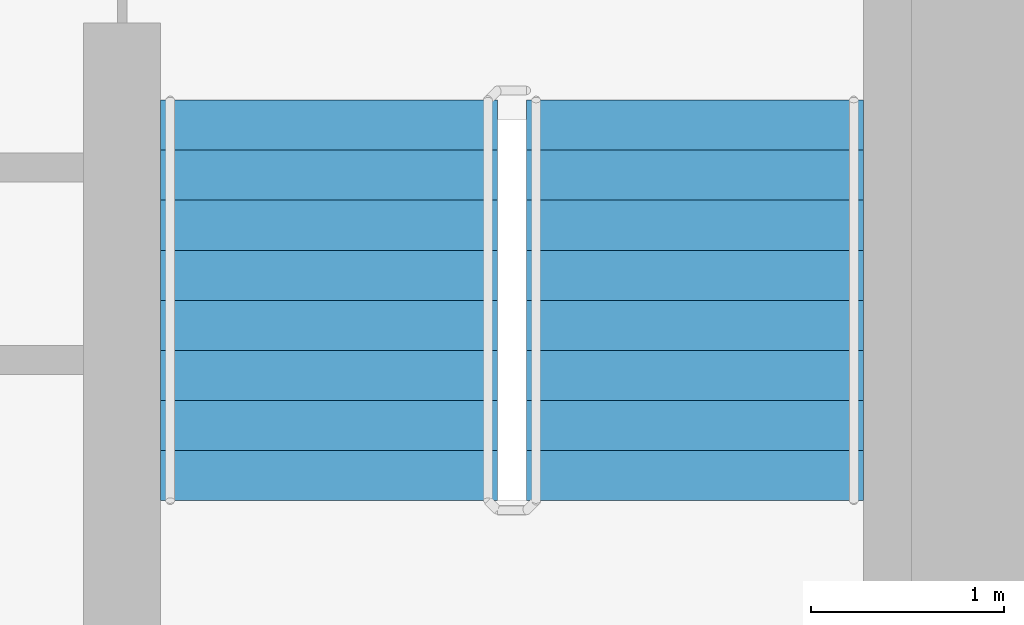
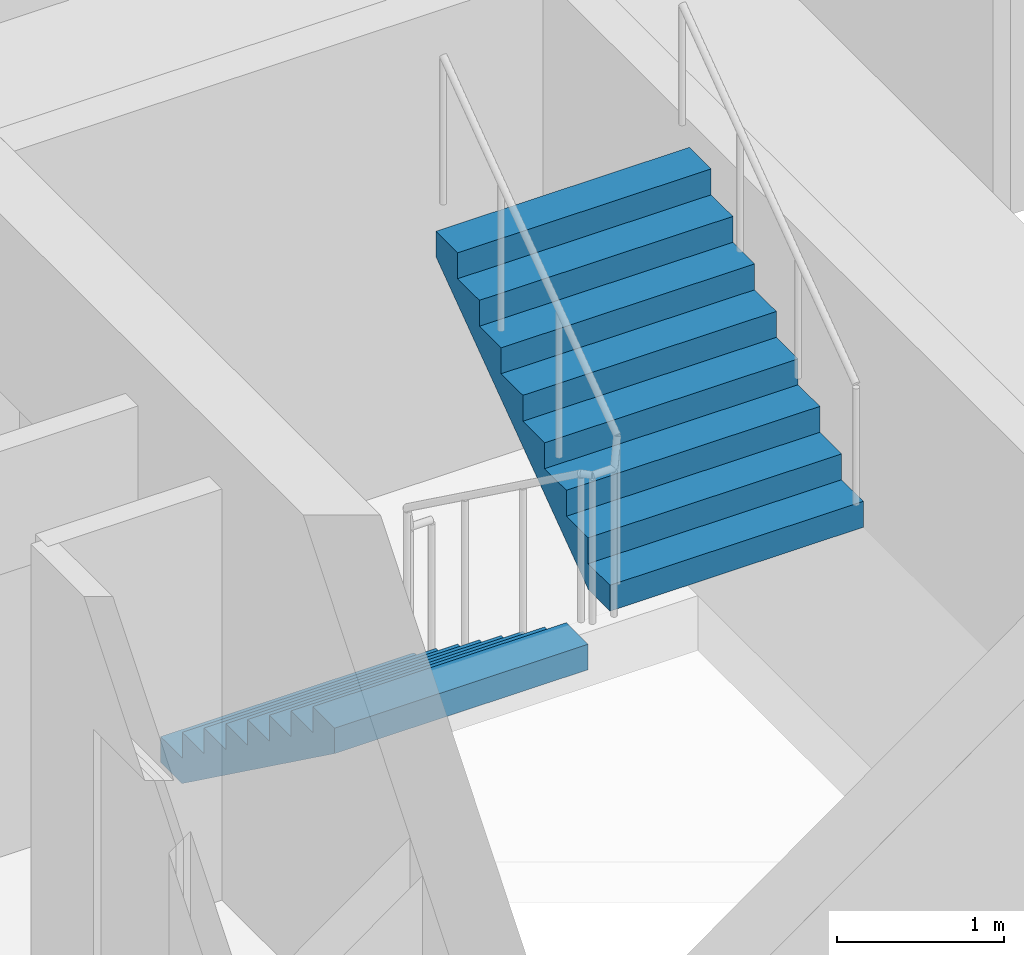
# One storey, part 17 of 21: 2 stair flights, 1 element without a shape of its own.
"""IFC4 building model written with IfcOpenShell, lengths in metres."""

from ifc_helpers import new_model, si_unit, direction, frame, origin, place, context, subcontext, project, spatial, faceted_brep, material, type_object, element, aggregate, save


model = new_model("IFC4")

# Units and contexts
model_context = context("Model", 3, precision=1e-05, world=origin(), true_north=direction((0.0, 1.0)))
body_context = subcontext(model_context, "Body", "Model", "MODEL_VIEW")
ifc_project = project(units=[si_unit("LENGTHUNIT", "METRE"), si_unit("AREAUNIT", "SQUARE_METRE"), si_unit("VOLUMEUNIT", "CUBIC_METRE"), si_unit("PLANEANGLEUNIT", "RADIAN"), si_unit("MASSUNIT", "GRAM", prefix="KILO")], contexts=[model_context])

# Site, building, storey
site_placement = place(None, origin())
site = spatial("IfcSite", under=ifc_project, at=site_placement, CompositionType="ELEMENT")
building_placement = place(site_placement, origin())
building = spatial("IfcBuilding", under=site, at=building_placement, Name="Ipe Terrace Towers", CompositionType="ELEMENT")
storey_placement = place(building_placement, frame((0.0, 0.0, 93.60009765625)))
storey = spatial("IfcBuildingStorey", under=building, at=storey_placement, Name="L25", CompositionType="ELEMENT", Elevation=93.60009765625)

# Stair, stair flights
ifc_material_1 = material(Name="Concrete C30/37", Category="concrete")
stair_type = type_object("IfcStairType", Name="Protected exit stair", PredefinedType="HALF_TURN_STAIR", material=ifc_material_1)
stair_placement = place(storey_placement, origin())
stair = element("IfcStair", 1, at=stair_placement, inside=storey, type_object=stair_type, Name="L25 Exit stair T2-C2", PredefinedType="HALF_TURN_STAIR")
ifc_material_2 = material(Name="Concrete C30/37", Category="concrete")
stair_flight_type = type_object("IfcStairFlightType", Name="Exit stair flight 1750", PredefinedType="STRAIGHT", material=ifc_material_2)
stair_flight_1_placement = place(storey_placement, frame((38.77490234375, -9.699951171875, 0.0), z_axis=(0.0, 0.0, 1.0), x_axis=(0.0, -1.0, 0.0)))
stair_flight_1 = element("IfcStairFlight", 2, at=stair_flight_1_placement, type_object=stair_flight_type, Name="T2-ST2 flight 1", NumberOfRisers=9, NumberOfTreads=8, PredefinedType="STRAIGHT", RiserHeight=0.188888889, TreadLength=0.26, context=body_context, shape_type="Brep", body=[
    faceted_brep([(0.255126953125, -0.875, 0.0), (2.080078125, -0.875, 1.325927734375), (2.080078125, -0.875, 1.51123046875), (1.820068359375, -0.875, 1.51123046875), (1.820068359375, -0.875, 1.322265625), (1.56005859375, -0.875, 1.322265625), (1.56005859375, -0.875, 1.13330078125), (1.300048828125, -0.875, 1.13330078125), (1.300048828125, -0.875, 0.9443359375), (1.0400390625, -0.875, 0.9443359375), (1.0400390625, -0.875, 0.755615234375), (0.780029296875, -0.875, 0.755615234375), (0.780029296875, -0.875, 0.566650390625), (0.52001953125, -0.875, 0.566650390625), (0.52001953125, -0.875, 0.377685546875), (0.260009765625, -0.875, 0.377685546875), (0.260009765625, -0.875, 0.18896484375), (0.0, -0.875, 0.18896484375), (0.0, -0.875, 0.0), (0.0, 0.875, 0.0), (0.0, 0.875, 0.18896484375), (0.260009765625, 0.875, 0.18896484375), (0.260009765625, 0.875, 0.377685546875), (0.52001953125, 0.875, 0.377685546875), (0.52001953125, 0.875, 0.566650390625), (0.780029296875, 0.875, 0.566650390625), (0.780029296875, 0.875, 0.755615234375), (1.0400390625, 0.875, 0.755615234375), (1.0400390625, 0.875, 0.9443359375), (1.300048828125, 0.875, 0.9443359375), (1.300048828125, 0.875, 1.13330078125), (1.56005859375, 0.875, 1.13330078125), (1.56005859375, 0.875, 1.322265625), (1.820068359375, 0.875, 1.322265625), (1.820068359375, 0.875, 1.51123046875), (2.080078125, 0.875, 1.51123046875), (2.080078125, 0.875, 1.325927734375), (0.255126953125, 0.875, 0.0), (0.0, -0.300048828125, 0.18896484375), (0.0, -0.1201171875, 0.18896484375), (0.0, -0.06005859375, 0.18896484375), (0.0, -0.030029296875, 0.18896484375), (0.0, -0.010009765625, 0.18896484375), (0.0, 0.0, 0.18896484375), (0.0, 0.010009765625, 0.18896484375), (0.0, 0.030029296875, 0.18896484375), (0.0, 0.06005859375, 0.18896484375), (0.0, 0.1201171875, 0.18896484375), (0.0, 0.300048828125, 0.18896484375), (0.0, 0.300048828125, 0.0), (0.0, 0.1201171875, 0.0), (0.0, 0.06005859375, 0.0), (0.0, 0.030029296875, 0.0), (0.0, 0.010009765625, 0.0), (0.0, 0.0, 0.0), (0.0, -0.010009765625, 0.0), (0.0, -0.030029296875, 0.0), (0.0, -0.06005859375, 0.0), (0.0, -0.1201171875, 0.0), (0.0, -0.300048828125, 0.0), (0.260009765625, -0.300048828125, 0.18896484375), (0.260009765625, -0.1201171875, 0.18896484375), (0.260009765625, -0.06005859375, 0.18896484375), (0.260009765625, -0.030029296875, 0.18896484375), (0.260009765625, -0.010009765625, 0.18896484375), (0.260009765625, 0.0, 0.18896484375), (0.260009765625, 0.010009765625, 0.18896484375), (0.260009765625, 0.030029296875, 0.18896484375), (0.260009765625, 0.06005859375, 0.18896484375), (0.260009765625, 0.1201171875, 0.18896484375), (0.260009765625, 0.300048828125, 0.18896484375), (0.260009765625, -0.300048828125, 0.377685546875), (0.260009765625, -0.1201171875, 0.377685546875), (0.260009765625, -0.06005859375, 0.377685546875), (0.260009765625, -0.030029296875, 0.377685546875), (0.260009765625, -0.010009765625, 0.377685546875), (0.260009765625, 0.0, 0.377685546875), (0.260009765625, 0.010009765625, 0.377685546875), (0.260009765625, 0.030029296875, 0.377685546875), (0.260009765625, 0.06005859375, 0.377685546875), (0.260009765625, 0.1201171875, 0.377685546875), (0.260009765625, 0.300048828125, 0.377685546875), (0.52001953125, -0.300048828125, 0.377685546875), (0.52001953125, -0.1201171875, 0.377685546875), (0.52001953125, -0.06005859375, 0.377685546875), (0.52001953125, -0.030029296875, 0.377685546875), (0.52001953125, -0.010009765625, 0.377685546875), (0.52001953125, 0.0, 0.377685546875), (0.52001953125, 0.010009765625, 0.377685546875), (0.52001953125, 0.030029296875, 0.377685546875), (0.52001953125, 0.06005859375, 0.377685546875), (0.52001953125, 0.1201171875, 0.377685546875), (0.52001953125, 0.300048828125, 0.377685546875), (0.52001953125, -0.300048828125, 0.566650390625), (0.52001953125, -0.1201171875, 0.566650390625), (0.52001953125, -0.06005859375, 0.566650390625), (0.52001953125, -0.030029296875, 0.566650390625), (0.52001953125, -0.010009765625, 0.566650390625), (0.52001953125, 0.0, 0.566650390625), (0.52001953125, 0.010009765625, 0.566650390625), (0.52001953125, 0.030029296875, 0.566650390625), (0.52001953125, 0.06005859375, 0.566650390625), (0.52001953125, 0.1201171875, 0.566650390625), (0.52001953125, 0.300048828125, 0.566650390625), (0.780029296875, -0.300048828125, 0.566650390625), (0.780029296875, -0.1201171875, 0.566650390625), (0.780029296875, -0.06005859375, 0.566650390625), (0.780029296875, -0.030029296875, 0.566650390625), (0.780029296875, -0.010009765625, 0.566650390625), (0.780029296875, 0.0, 0.566650390625), (0.780029296875, 0.010009765625, 0.566650390625), (0.780029296875, 0.030029296875, 0.566650390625), (0.780029296875, 0.06005859375, 0.566650390625), (0.780029296875, 0.1201171875, 0.566650390625), (0.780029296875, 0.300048828125, 0.566650390625), (0.780029296875, -0.300048828125, 0.755615234375), (0.780029296875, -0.1201171875, 0.755615234375), (0.780029296875, -0.06005859375, 0.755615234375), (0.780029296875, -0.030029296875, 0.755615234375), (0.780029296875, -0.010009765625, 0.755615234375), (0.780029296875, 0.0, 0.755615234375), (0.780029296875, 0.010009765625, 0.755615234375), (0.780029296875, 0.030029296875, 0.755615234375), (0.780029296875, 0.06005859375, 0.755615234375), (0.780029296875, 0.1201171875, 0.755615234375), (0.780029296875, 0.300048828125, 0.755615234375), (1.0400390625, -0.300048828125, 0.755615234375), (1.0400390625, -0.1201171875, 0.755615234375), (1.0400390625, -0.06005859375, 0.755615234375), (1.0400390625, -0.030029296875, 0.755615234375), (1.0400390625, -0.010009765625, 0.755615234375), (1.0400390625, 0.0, 0.755615234375), (1.0400390625, 0.010009765625, 0.755615234375), (1.0400390625, 0.030029296875, 0.755615234375), (1.0400390625, 0.06005859375, 0.755615234375), (1.0400390625, 0.1201171875, 0.755615234375), (1.0400390625, 0.300048828125, 0.755615234375), (1.0400390625, -0.300048828125, 0.9443359375), (1.0400390625, -0.1201171875, 0.9443359375), (1.0400390625, -0.06005859375, 0.9443359375), (1.0400390625, -0.030029296875, 0.9443359375), (1.0400390625, -0.010009765625, 0.9443359375), (1.0400390625, 0.0, 0.9443359375), (1.0400390625, 0.010009765625, 0.9443359375), (1.0400390625, 0.030029296875, 0.9443359375), (1.0400390625, 0.06005859375, 0.9443359375), (1.0400390625, 0.1201171875, 0.9443359375), (1.0400390625, 0.300048828125, 0.9443359375), (1.300048828125, -0.300048828125, 0.9443359375), (1.300048828125, -0.1201171875, 0.9443359375), (1.300048828125, -0.06005859375, 0.9443359375), (1.300048828125, -0.030029296875, 0.9443359375), (1.300048828125, -0.010009765625, 0.9443359375), (1.300048828125, 0.0, 0.9443359375), (1.300048828125, 0.010009765625, 0.9443359375), (1.300048828125, 0.030029296875, 0.9443359375), (1.300048828125, 0.06005859375, 0.9443359375), (1.300048828125, 0.1201171875, 0.9443359375), (1.300048828125, 0.300048828125, 0.9443359375), (1.300048828125, -0.300048828125, 1.13330078125), (1.300048828125, -0.1201171875, 1.13330078125), (1.300048828125, -0.06005859375, 1.13330078125), (1.300048828125, -0.030029296875, 1.13330078125), (1.300048828125, -0.010009765625, 1.13330078125), (1.300048828125, 0.0, 1.13330078125), (1.300048828125, 0.010009765625, 1.13330078125), (1.300048828125, 0.030029296875, 1.13330078125), (1.300048828125, 0.06005859375, 1.13330078125), (1.300048828125, 0.1201171875, 1.13330078125), (1.300048828125, 0.300048828125, 1.13330078125), (1.56005859375, -0.300048828125, 1.13330078125), (1.56005859375, -0.1201171875, 1.13330078125), (1.56005859375, -0.06005859375, 1.13330078125), (1.56005859375, -0.030029296875, 1.13330078125), (1.56005859375, -0.010009765625, 1.13330078125), (1.56005859375, 0.0, 1.13330078125), (1.56005859375, 0.010009765625, 1.13330078125), (1.56005859375, 0.030029296875, 1.13330078125), (1.56005859375, 0.06005859375, 1.13330078125), (1.56005859375, 0.1201171875, 1.13330078125), (1.56005859375, 0.300048828125, 1.13330078125), (1.56005859375, -0.300048828125, 1.322265625), (1.56005859375, -0.1201171875, 1.322265625), (1.56005859375, -0.06005859375, 1.322265625), (1.56005859375, -0.030029296875, 1.322265625), (1.56005859375, -0.010009765625, 1.322265625), (1.56005859375, 0.0, 1.322265625), (1.56005859375, 0.010009765625, 1.322265625), (1.56005859375, 0.030029296875, 1.322265625), (1.56005859375, 0.06005859375, 1.322265625), (1.56005859375, 0.1201171875, 1.322265625), (1.56005859375, 0.300048828125, 1.322265625), (1.820068359375, -0.300048828125, 1.322265625), (1.820068359375, -0.1201171875, 1.322265625), (1.820068359375, -0.06005859375, 1.322265625), (1.820068359375, -0.030029296875, 1.322265625), (1.820068359375, -0.010009765625, 1.322265625), (1.820068359375, 0.0, 1.322265625), (1.820068359375, 0.010009765625, 1.322265625), (1.820068359375, 0.030029296875, 1.322265625), (1.820068359375, 0.06005859375, 1.322265625), (1.820068359375, 0.1201171875, 1.322265625), (1.820068359375, 0.300048828125, 1.322265625), (1.820068359375, -0.300048828125, 1.51123046875), (1.820068359375, -0.1201171875, 1.51123046875), (1.820068359375, -0.06005859375, 1.51123046875), (1.820068359375, -0.030029296875, 1.51123046875), (1.820068359375, -0.010009765625, 1.51123046875), (1.820068359375, 0.0, 1.51123046875), (1.820068359375, 0.010009765625, 1.51123046875), (1.820068359375, 0.030029296875, 1.51123046875), (1.820068359375, 0.06005859375, 1.51123046875), (1.820068359375, 0.1201171875, 1.51123046875), (1.820068359375, 0.300048828125, 1.51123046875), (2.080078125, -0.300048828125, 1.51123046875), (2.080078125, -0.1201171875, 1.51123046875), (2.080078125, -0.06005859375, 1.51123046875), (2.080078125, -0.030029296875, 1.51123046875), (2.080078125, -0.010009765625, 1.51123046875), (2.080078125, 0.0, 1.51123046875), (2.080078125, 0.010009765625, 1.51123046875), (2.080078125, 0.030029296875, 1.51123046875), (2.080078125, 0.06005859375, 1.51123046875), (2.080078125, 0.1201171875, 1.51123046875), (2.080078125, 0.300048828125, 1.51123046875), (2.080078125, -0.300048828125, 1.325927734375), (2.080078125, -0.1201171875, 1.325927734375), (2.080078125, -0.06005859375, 1.325927734375), (2.080078125, -0.030029296875, 1.325927734375), (2.080078125, -0.010009765625, 1.325927734375), (2.080078125, 0.0, 1.325927734375), (2.080078125, 0.010009765625, 1.325927734375), (2.080078125, 0.030029296875, 1.325927734375), (2.080078125, 0.06005859375, 1.325927734375), (2.080078125, 0.1201171875, 1.325927734375), (2.080078125, 0.300048828125, 1.325927734375), (0.255126953125, -0.300048828125, 0.0), (0.255126953125, -0.1201171875, 0.0), (0.255126953125, -0.06005859375, 0.0), (0.255126953125, -0.030029296875, 0.0), (0.255126953125, -0.010009765625, 0.0), (0.255126953125, 0.0, 0.0), (0.255126953125, 0.010009765625, 0.0), (0.255126953125, 0.030029296875, 0.0), (0.255126953125, 0.06005859375, 0.0), (0.255126953125, 0.1201171875, 0.0), (0.255126953125, 0.300048828125, 0.0)], [[[0, 1, 2, 3, 4, 5, 6, 7, 8, 9, 10, 11, 12, 13, 14, 15, 16, 17, 18]], [[19, 20, 21, 22, 23, 24, 25, 26, 27, 28, 29, 30, 31, 32, 33, 34, 35, 36, 37]], [[17, 38, 39, 40, 41, 42, 43, 44, 45, 46, 47, 48, 20, 19, 49, 50, 51, 52, 53, 54, 55, 56, 57, 58, 59, 18]], [[16, 60, 61, 62, 63, 64, 65, 66, 67, 68, 69, 70, 21, 20, 48, 47, 46, 45, 44, 43, 42, 41, 40, 39, 38, 17]], [[15, 71, 72, 73, 74, 75, 76, 77, 78, 79, 80, 81, 22, 21, 70, 69, 68, 67, 66, 65, 64, 63, 62, 61, 60, 16]], [[14, 82, 83, 84, 85, 86, 87, 88, 89, 90, 91, 92, 23, 22, 81, 80, 79, 78, 77, 76, 75, 74, 73, 72, 71, 15]], [[13, 93, 94, 95, 96, 97, 98, 99, 100, 101, 102, 103, 24, 23, 92, 91, 90, 89, 88, 87, 86, 85, 84, 83, 82, 14]], [[12, 104, 105, 106, 107, 108, 109, 110, 111, 112, 113, 114, 25, 24, 103, 102, 101, 100, 99, 98, 97, 96, 95, 94, 93, 13]], [[11, 115, 116, 117, 118, 119, 120, 121, 122, 123, 124, 125, 26, 25, 114, 113, 112, 111, 110, 109, 108, 107, 106, 105, 104, 12]], [[10, 126, 127, 128, 129, 130, 131, 132, 133, 134, 135, 136, 27, 26, 125, 124, 123, 122, 121, 120, 119, 118, 117, 116, 115, 11]], [[9, 137, 138, 139, 140, 141, 142, 143, 144, 145, 146, 147, 28, 27, 136, 135, 134, 133, 132, 131, 130, 129, 128, 127, 126, 10]], [[8, 148, 149, 150, 151, 152, 153, 154, 155, 156, 157, 158, 29, 28, 147, 146, 145, 144, 143, 142, 141, 140, 139, 138, 137, 9]], [[7, 159, 160, 161, 162, 163, 164, 165, 166, 167, 168, 169, 30, 29, 158, 157, 156, 155, 154, 153, 152, 151, 150, 149, 148, 8]], [[6, 170, 171, 172, 173, 174, 175, 176, 177, 178, 179, 180, 31, 30, 169, 168, 167, 166, 165, 164, 163, 162, 161, 160, 159, 7]], [[5, 181, 182, 183, 184, 185, 186, 187, 188, 189, 190, 191, 32, 31, 180, 179, 178, 177, 176, 175, 174, 173, 172, 171, 170, 6]], [[4, 192, 193, 194, 195, 196, 197, 198, 199, 200, 201, 202, 33, 32, 191, 190, 189, 188, 187, 186, 185, 184, 183, 182, 181, 5]], [[3, 203, 204, 205, 206, 207, 208, 209, 210, 211, 212, 213, 34, 33, 202, 201, 200, 199, 198, 197, 196, 195, 194, 193, 192, 4]], [[2, 214, 215, 216, 217, 218, 219, 220, 221, 222, 223, 224, 35, 34, 213, 212, 211, 210, 209, 208, 207, 206, 205, 204, 203, 3]], [[1, 225, 226, 227, 228, 229, 230, 231, 232, 233, 234, 235, 36, 35, 224, 223, 222, 221, 220, 219, 218, 217, 216, 215, 214, 2]], [[0, 236, 237, 238, 239, 240, 241, 242, 243, 244, 245, 246, 37, 36, 235, 234, 233, 232, 231, 230, 229, 228, 227, 226, 225, 1]], [[18, 59, 58, 57, 56, 55, 54, 53, 52, 51, 50, 49, 19, 37, 246, 245, 244, 243, 242, 241, 240, 239, 238, 237, 236, 0]]]),
])
stair_flight_2_placement = place(storey_placement, frame((40.675048828125, -11.780029296875, 1.699951171875), z_axis=(0.0, 0.0, 1.0), x_axis=(0.0, 1.0, 0.0)))
stair_flight_2 = element("IfcStairFlight", 3, at=stair_flight_2_placement, type_object=stair_flight_type, Name="T2-ST2 flight 2", NumberOfRisers=9, NumberOfTreads=8, PredefinedType="STRAIGHT", RiserHeight=0.188888889, TreadLength=0.26, context=body_context, shape_type="Brep", body=[
    faceted_brep([(0.255126953125, -0.875, 0.0), (2.080078125, -0.875, 1.325927734375), (2.080078125, -0.875, 1.51123046875), (1.820068359375, -0.875, 1.51123046875), (1.820068359375, -0.875, 1.322265625), (1.56005859375, -0.875, 1.322265625), (1.56005859375, -0.875, 1.13330078125), (1.300048828125, -0.875, 1.13330078125), (1.300048828125, -0.875, 0.9443359375), (1.0400390625, -0.875, 0.9443359375), (1.0400390625, -0.875, 0.755615234375), (0.780029296875, -0.875, 0.755615234375), (0.780029296875, -0.875, 0.566650390625), (0.52001953125, -0.875, 0.566650390625), (0.52001953125, -0.875, 0.377685546875), (0.260009765625, -0.875, 0.377685546875), (0.260009765625, -0.875, 0.18896484375), (0.0, -0.875, 0.18896484375), (0.0, -0.875, 0.0), (0.0, 0.875, 0.0), (0.0, 0.875, 0.18896484375), (0.260009765625, 0.875, 0.18896484375), (0.260009765625, 0.875, 0.377685546875), (0.52001953125, 0.875, 0.377685546875), (0.52001953125, 0.875, 0.566650390625), (0.780029296875, 0.875, 0.566650390625), (0.780029296875, 0.875, 0.755615234375), (1.0400390625, 0.875, 0.755615234375), (1.0400390625, 0.875, 0.9443359375), (1.300048828125, 0.875, 0.9443359375), (1.300048828125, 0.875, 1.13330078125), (1.56005859375, 0.875, 1.13330078125), (1.56005859375, 0.875, 1.322265625), (1.820068359375, 0.875, 1.322265625), (1.820068359375, 0.875, 1.51123046875), (2.080078125, 0.875, 1.51123046875), (2.080078125, 0.875, 1.325927734375), (0.255126953125, 0.875, 0.0), (0.0, -0.300048828125, 0.18896484375), (0.0, -0.1201171875, 0.18896484375), (0.0, -0.06005859375, 0.18896484375), (0.0, -0.030029296875, 0.18896484375), (0.0, -0.010009765625, 0.18896484375), (0.0, 0.0, 0.18896484375), (0.0, 0.010009765625, 0.18896484375), (0.0, 0.030029296875, 0.18896484375), (0.0, 0.06005859375, 0.18896484375), (0.0, 0.1201171875, 0.18896484375), (0.0, 0.300048828125, 0.18896484375), (0.0, 0.300048828125, 0.0), (0.0, 0.1201171875, 0.0), (0.0, 0.06005859375, 0.0), (0.0, 0.030029296875, 0.0), (0.0, 0.010009765625, 0.0), (0.0, 0.0, 0.0), (0.0, -0.010009765625, 0.0), (0.0, -0.030029296875, 0.0), (0.0, -0.06005859375, 0.0), (0.0, -0.1201171875, 0.0), (0.0, -0.300048828125, 0.0), (0.260009765625, -0.300048828125, 0.18896484375), (0.260009765625, -0.1201171875, 0.18896484375), (0.260009765625, -0.06005859375, 0.18896484375), (0.260009765625, -0.030029296875, 0.18896484375), (0.260009765625, -0.010009765625, 0.18896484375), (0.260009765625, 0.0, 0.18896484375), (0.260009765625, 0.010009765625, 0.18896484375), (0.260009765625, 0.030029296875, 0.18896484375), (0.260009765625, 0.06005859375, 0.18896484375), (0.260009765625, 0.1201171875, 0.18896484375), (0.260009765625, 0.300048828125, 0.18896484375), (0.260009765625, -0.300048828125, 0.377685546875), (0.260009765625, -0.1201171875, 0.377685546875), (0.260009765625, -0.06005859375, 0.377685546875), (0.260009765625, -0.030029296875, 0.377685546875), (0.260009765625, -0.010009765625, 0.377685546875), (0.260009765625, 0.0, 0.377685546875), (0.260009765625, 0.010009765625, 0.377685546875), (0.260009765625, 0.030029296875, 0.377685546875), (0.260009765625, 0.06005859375, 0.377685546875), (0.260009765625, 0.1201171875, 0.377685546875), (0.260009765625, 0.300048828125, 0.377685546875), (0.52001953125, -0.300048828125, 0.377685546875), (0.52001953125, -0.1201171875, 0.377685546875), (0.52001953125, -0.06005859375, 0.377685546875), (0.52001953125, -0.030029296875, 0.377685546875), (0.52001953125, -0.010009765625, 0.377685546875), (0.52001953125, 0.0, 0.377685546875), (0.52001953125, 0.010009765625, 0.377685546875), (0.52001953125, 0.030029296875, 0.377685546875), (0.52001953125, 0.06005859375, 0.377685546875), (0.52001953125, 0.1201171875, 0.377685546875), (0.52001953125, 0.300048828125, 0.377685546875), (0.52001953125, -0.300048828125, 0.566650390625), (0.52001953125, -0.1201171875, 0.566650390625), (0.52001953125, -0.06005859375, 0.566650390625), (0.52001953125, -0.030029296875, 0.566650390625), (0.52001953125, -0.010009765625, 0.566650390625), (0.52001953125, 0.0, 0.566650390625), (0.52001953125, 0.010009765625, 0.566650390625), (0.52001953125, 0.030029296875, 0.566650390625), (0.52001953125, 0.06005859375, 0.566650390625), (0.52001953125, 0.1201171875, 0.566650390625), (0.52001953125, 0.300048828125, 0.566650390625), (0.780029296875, -0.300048828125, 0.566650390625), (0.780029296875, -0.1201171875, 0.566650390625), (0.780029296875, -0.06005859375, 0.566650390625), (0.780029296875, -0.030029296875, 0.566650390625), (0.780029296875, -0.010009765625, 0.566650390625), (0.780029296875, 0.0, 0.566650390625), (0.780029296875, 0.010009765625, 0.566650390625), (0.780029296875, 0.030029296875, 0.566650390625), (0.780029296875, 0.06005859375, 0.566650390625), (0.780029296875, 0.1201171875, 0.566650390625), (0.780029296875, 0.300048828125, 0.566650390625), (0.780029296875, -0.300048828125, 0.755615234375), (0.780029296875, -0.1201171875, 0.755615234375), (0.780029296875, -0.06005859375, 0.755615234375), (0.780029296875, -0.030029296875, 0.755615234375), (0.780029296875, -0.010009765625, 0.755615234375), (0.780029296875, 0.0, 0.755615234375), (0.780029296875, 0.010009765625, 0.755615234375), (0.780029296875, 0.030029296875, 0.755615234375), (0.780029296875, 0.06005859375, 0.755615234375), (0.780029296875, 0.1201171875, 0.755615234375), (0.780029296875, 0.300048828125, 0.755615234375), (1.0400390625, -0.300048828125, 0.755615234375), (1.0400390625, -0.1201171875, 0.755615234375), (1.0400390625, -0.06005859375, 0.755615234375), (1.0400390625, -0.030029296875, 0.755615234375), (1.0400390625, -0.010009765625, 0.755615234375), (1.0400390625, 0.0, 0.755615234375), (1.0400390625, 0.010009765625, 0.755615234375), (1.0400390625, 0.030029296875, 0.755615234375), (1.0400390625, 0.06005859375, 0.755615234375), (1.0400390625, 0.1201171875, 0.755615234375), (1.0400390625, 0.300048828125, 0.755615234375), (1.0400390625, -0.300048828125, 0.9443359375), (1.0400390625, -0.1201171875, 0.9443359375), (1.0400390625, -0.06005859375, 0.9443359375), (1.0400390625, -0.030029296875, 0.9443359375), (1.0400390625, -0.010009765625, 0.9443359375), (1.0400390625, 0.0, 0.9443359375), (1.0400390625, 0.010009765625, 0.9443359375), (1.0400390625, 0.030029296875, 0.9443359375), (1.0400390625, 0.06005859375, 0.9443359375), (1.0400390625, 0.1201171875, 0.9443359375), (1.0400390625, 0.300048828125, 0.9443359375), (1.300048828125, -0.300048828125, 0.9443359375), (1.300048828125, -0.1201171875, 0.9443359375), (1.300048828125, -0.06005859375, 0.9443359375), (1.300048828125, -0.030029296875, 0.9443359375), (1.300048828125, -0.010009765625, 0.9443359375), (1.300048828125, 0.0, 0.9443359375), (1.300048828125, 0.010009765625, 0.9443359375), (1.300048828125, 0.030029296875, 0.9443359375), (1.300048828125, 0.06005859375, 0.9443359375), (1.300048828125, 0.1201171875, 0.9443359375), (1.300048828125, 0.300048828125, 0.9443359375), (1.300048828125, -0.300048828125, 1.13330078125), (1.300048828125, -0.1201171875, 1.13330078125), (1.300048828125, -0.06005859375, 1.13330078125), (1.300048828125, -0.030029296875, 1.13330078125), (1.300048828125, -0.010009765625, 1.13330078125), (1.300048828125, 0.0, 1.13330078125), (1.300048828125, 0.010009765625, 1.13330078125), (1.300048828125, 0.030029296875, 1.13330078125), (1.300048828125, 0.06005859375, 1.13330078125), (1.300048828125, 0.1201171875, 1.13330078125), (1.300048828125, 0.300048828125, 1.13330078125), (1.56005859375, -0.300048828125, 1.13330078125), (1.56005859375, -0.1201171875, 1.13330078125), (1.56005859375, -0.06005859375, 1.13330078125), (1.56005859375, -0.030029296875, 1.13330078125), (1.56005859375, -0.010009765625, 1.13330078125), (1.56005859375, 0.0, 1.13330078125), (1.56005859375, 0.010009765625, 1.13330078125), (1.56005859375, 0.030029296875, 1.13330078125), (1.56005859375, 0.06005859375, 1.13330078125), (1.56005859375, 0.1201171875, 1.13330078125), (1.56005859375, 0.300048828125, 1.13330078125), (1.56005859375, -0.300048828125, 1.322265625), (1.56005859375, -0.1201171875, 1.322265625), (1.56005859375, -0.06005859375, 1.322265625), (1.56005859375, -0.030029296875, 1.322265625), (1.56005859375, -0.010009765625, 1.322265625), (1.56005859375, 0.0, 1.322265625), (1.56005859375, 0.010009765625, 1.322265625), (1.56005859375, 0.030029296875, 1.322265625), (1.56005859375, 0.06005859375, 1.322265625), (1.56005859375, 0.1201171875, 1.322265625), (1.56005859375, 0.300048828125, 1.322265625), (1.820068359375, -0.300048828125, 1.322265625), (1.820068359375, -0.1201171875, 1.322265625), (1.820068359375, -0.06005859375, 1.322265625), (1.820068359375, -0.030029296875, 1.322265625), (1.820068359375, -0.010009765625, 1.322265625), (1.820068359375, 0.0, 1.322265625), (1.820068359375, 0.010009765625, 1.322265625), (1.820068359375, 0.030029296875, 1.322265625), (1.820068359375, 0.06005859375, 1.322265625), (1.820068359375, 0.1201171875, 1.322265625), (1.820068359375, 0.300048828125, 1.322265625), (1.820068359375, -0.300048828125, 1.51123046875), (1.820068359375, -0.1201171875, 1.51123046875), (1.820068359375, -0.06005859375, 1.51123046875), (1.820068359375, -0.030029296875, 1.51123046875), (1.820068359375, -0.010009765625, 1.51123046875), (1.820068359375, 0.0, 1.51123046875), (1.820068359375, 0.010009765625, 1.51123046875), (1.820068359375, 0.030029296875, 1.51123046875), (1.820068359375, 0.06005859375, 1.51123046875), (1.820068359375, 0.1201171875, 1.51123046875), (1.820068359375, 0.300048828125, 1.51123046875), (2.080078125, -0.300048828125, 1.51123046875), (2.080078125, -0.1201171875, 1.51123046875), (2.080078125, -0.06005859375, 1.51123046875), (2.080078125, -0.030029296875, 1.51123046875), (2.080078125, -0.010009765625, 1.51123046875), (2.080078125, 0.0, 1.51123046875), (2.080078125, 0.010009765625, 1.51123046875), (2.080078125, 0.030029296875, 1.51123046875), (2.080078125, 0.06005859375, 1.51123046875), (2.080078125, 0.1201171875, 1.51123046875), (2.080078125, 0.300048828125, 1.51123046875), (2.080078125, -0.300048828125, 1.325927734375), (2.080078125, -0.1201171875, 1.325927734375), (2.080078125, -0.06005859375, 1.325927734375), (2.080078125, -0.030029296875, 1.325927734375), (2.080078125, -0.010009765625, 1.325927734375), (2.080078125, 0.0, 1.325927734375), (2.080078125, 0.010009765625, 1.325927734375), (2.080078125, 0.030029296875, 1.325927734375), (2.080078125, 0.06005859375, 1.325927734375), (2.080078125, 0.1201171875, 1.325927734375), (2.080078125, 0.300048828125, 1.325927734375), (0.255126953125, -0.300048828125, 0.0), (0.255126953125, -0.1201171875, 0.0), (0.255126953125, -0.06005859375, 0.0), (0.255126953125, -0.030029296875, 0.0), (0.255126953125, -0.010009765625, 0.0), (0.255126953125, 0.0, 0.0), (0.255126953125, 0.010009765625, 0.0), (0.255126953125, 0.030029296875, 0.0), (0.255126953125, 0.06005859375, 0.0), (0.255126953125, 0.1201171875, 0.0), (0.255126953125, 0.300048828125, 0.0)], [[[0, 1, 2, 3, 4, 5, 6, 7, 8, 9, 10, 11, 12, 13, 14, 15, 16, 17, 18]], [[19, 20, 21, 22, 23, 24, 25, 26, 27, 28, 29, 30, 31, 32, 33, 34, 35, 36, 37]], [[17, 38, 39, 40, 41, 42, 43, 44, 45, 46, 47, 48, 20, 19, 49, 50, 51, 52, 53, 54, 55, 56, 57, 58, 59, 18]], [[16, 60, 61, 62, 63, 64, 65, 66, 67, 68, 69, 70, 21, 20, 48, 47, 46, 45, 44, 43, 42, 41, 40, 39, 38, 17]], [[15, 71, 72, 73, 74, 75, 76, 77, 78, 79, 80, 81, 22, 21, 70, 69, 68, 67, 66, 65, 64, 63, 62, 61, 60, 16]], [[14, 82, 83, 84, 85, 86, 87, 88, 89, 90, 91, 92, 23, 22, 81, 80, 79, 78, 77, 76, 75, 74, 73, 72, 71, 15]], [[13, 93, 94, 95, 96, 97, 98, 99, 100, 101, 102, 103, 24, 23, 92, 91, 90, 89, 88, 87, 86, 85, 84, 83, 82, 14]], [[12, 104, 105, 106, 107, 108, 109, 110, 111, 112, 113, 114, 25, 24, 103, 102, 101, 100, 99, 98, 97, 96, 95, 94, 93, 13]], [[11, 115, 116, 117, 118, 119, 120, 121, 122, 123, 124, 125, 26, 25, 114, 113, 112, 111, 110, 109, 108, 107, 106, 105, 104, 12]], [[10, 126, 127, 128, 129, 130, 131, 132, 133, 134, 135, 136, 27, 26, 125, 124, 123, 122, 121, 120, 119, 118, 117, 116, 115, 11]], [[9, 137, 138, 139, 140, 141, 142, 143, 144, 145, 146, 147, 28, 27, 136, 135, 134, 133, 132, 131, 130, 129, 128, 127, 126, 10]], [[8, 148, 149, 150, 151, 152, 153, 154, 155, 156, 157, 158, 29, 28, 147, 146, 145, 144, 143, 142, 141, 140, 139, 138, 137, 9]], [[7, 159, 160, 161, 162, 163, 164, 165, 166, 167, 168, 169, 30, 29, 158, 157, 156, 155, 154, 153, 152, 151, 150, 149, 148, 8]], [[6, 170, 171, 172, 173, 174, 175, 176, 177, 178, 179, 180, 31, 30, 169, 168, 167, 166, 165, 164, 163, 162, 161, 160, 159, 7]], [[5, 181, 182, 183, 184, 185, 186, 187, 188, 189, 190, 191, 32, 31, 180, 179, 178, 177, 176, 175, 174, 173, 172, 171, 170, 6]], [[4, 192, 193, 194, 195, 196, 197, 198, 199, 200, 201, 202, 33, 32, 191, 190, 189, 188, 187, 186, 185, 184, 183, 182, 181, 5]], [[3, 203, 204, 205, 206, 207, 208, 209, 210, 211, 212, 213, 34, 33, 202, 201, 200, 199, 198, 197, 196, 195, 194, 193, 192, 4]], [[2, 214, 215, 216, 217, 218, 219, 220, 221, 222, 223, 224, 35, 34, 213, 212, 211, 210, 209, 208, 207, 206, 205, 204, 203, 3]], [[1, 225, 226, 227, 228, 229, 230, 231, 232, 233, 234, 235, 36, 35, 224, 223, 222, 221, 220, 219, 218, 217, 216, 215, 214, 2]], [[0, 236, 237, 238, 239, 240, 241, 242, 243, 244, 245, 246, 37, 36, 235, 234, 233, 232, 231, 230, 229, 228, 227, 226, 225, 1]], [[18, 59, 58, 57, 56, 55, 54, 53, 52, 51, 50, 49, 19, 37, 246, 245, 244, 243, 242, 241, 240, 239, 238, 237, 236, 0]]]),
])
aggregate(stair, [stair_flight_1, stair_flight_2])

save(model, "model.ifc")
